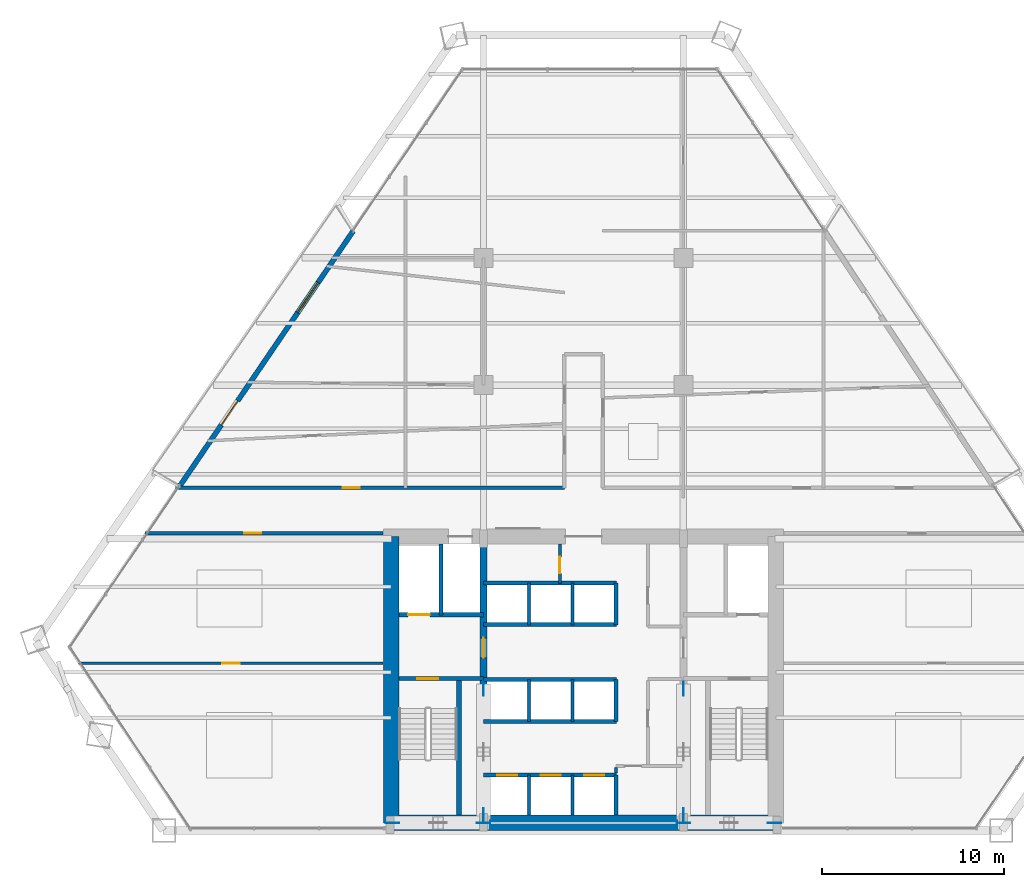
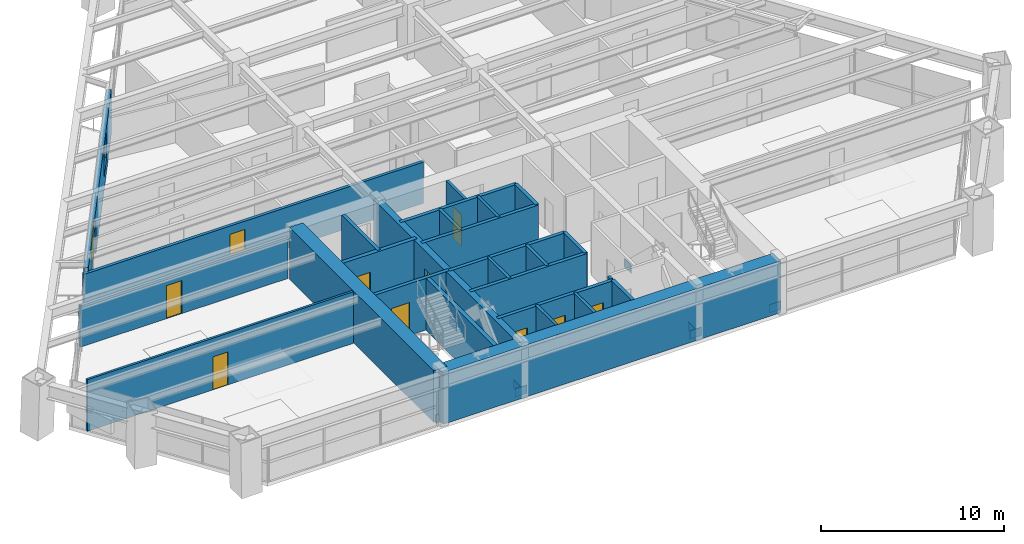
# One storey, part 10 of 14: 27 walls, 11 doors, 8 plates, 1 window, 12 openings.
"""IFC4 building model written with IfcOpenShell, lengths in metres."""

from ifc_helpers import new_model, si_unit, direction, frame, frame_2d, origin, origin_2d, place, context, subcontext, project, spatial, rectangle, extrude, source, transform, mapped, material, layer, layer_set, type_object, type_shapes, element, fill, save


model = new_model("IFC4")

# Units and contexts
model_context = context("Model", 3, precision=1e-05, world=origin(), true_north=direction((0.0, 1.0)))
body_context = subcontext(model_context, "Body", "Model", "MODEL_VIEW")
ifc_project = project(units=[si_unit("LENGTHUNIT", "METRE"), si_unit("AREAUNIT", "SQUARE_METRE"), si_unit("VOLUMEUNIT", "CUBIC_METRE"), si_unit("PLANEANGLEUNIT", "RADIAN"), si_unit("MASSUNIT", "GRAM", prefix="KILO")], contexts=[model_context])

# Site, building, storey
site_placement = place(None, origin())
site = spatial("IfcSite", under=ifc_project, at=site_placement, CompositionType="ELEMENT")
building_placement = place(site_placement, origin())
building = spatial("IfcBuilding", under=site, at=building_placement, Name="Varnakhor Terracotta Tower", CompositionType="ELEMENT")
storey_placement = place(building_placement, frame((0.0, 0.0, 60.800048828125)))
storey = spatial("IfcBuildingStorey", under=building, at=storey_placement, Name="L14", CompositionType="ELEMENT", Elevation=60.800048828125)

# Plates
ifc_material_1 = material(Name="Steel S460", Category="steel")
ifc_layer_1 = layer(ifc_material_1, 0.050048828125, Name="Steel S460")
ifc_layer_set_1 = layer_set([ifc_layer_1], Name="Steel S460")
plate_type = type_object("IfcPlateType", Name="PLT-GUSSET-50", PredefinedType="USERDEFINED", material=ifc_layer_set_1)
shared_shape_1 = source(origin(), body_context, "Body", "SweptSolid", [
    extrude(rectangle(XDim=0.75, YDim=0.0400390625, at=origin_2d()), origin(), (0.0, 0.0, 1.0), 0.550048828125),
])
type_shapes(plate_type, [shared_shape_1])
for number, where, z_axis, x_axis, name in (
    (1, (-10.5, 0.419921875, -0.09521484375), (0.0, 0.0, 1.0), (1.0, 0.0, 0.0), "L14 Core Brace Embed Plate CSWA"),
    (2, (-5.5, 0.419921875, -0.09521484375), (0.0, 0.0, 1.0), (1.0, 0.0, 0.0), "L14 Core Brace Embed Plate CSWB"),
    (3, (5.5, 0.419921875, -0.09521484375), (0.0, 0.0, 1.0), (1.0, 0.0, 0.0), "L14 Core Brace Embed Plate CSEA"),
    (4, (10.5, 0.419921875, -0.09521484375), (0.0, 0.0, 1.0), (1.0, 0.0, 0.0), "L14 Core Brace Embed Plate CSEB"),
    (5, (-5.5, 0.85009765625, -0.09521484375), (0.0, 0.0, 1.0), (0.0, 1.0, 0.0), "L14 Core Brace Embed Plate CWWA"),
    (6, (-5.5, 7.800048828125, -0.09521484375), (0.0, 0.0, 1.0), (0.0, 1.0, 0.0), "L14 Core Brace Embed Plate CWWB"),
    (7, (5.5, 0.85009765625, -0.09521484375), (0.0, 0.0, 1.0), (0.0, 1.0, 0.0), "L14 Core Brace Embed Plate CWEA"),
    (8, (5.5, 7.800048828125, -0.09521484375), (0.0, 0.0, 1.0), (0.0, 1.0, 0.0), "L14 Core Brace Embed Plate CWEB"),
):
    element("IfcPlate", number, at=place(storey_placement, frame(where, z_axis=z_axis, x_axis=x_axis)), inside=storey, type_object=plate_type, Name=name, ObjectType="GUSSET PLATE", PredefinedType="USERDEFINED", context=body_context, shape_type="MappedRepresentation", body=[
        mapped(shared_shape_1, transform((0.0, 0.0, 0.0), scale=1.0)),
    ])

# Walls
ifc_material_2 = material(Name="Concrete C60/75", Category="concrete")
ifc_layer_2 = layer(ifc_material_2, 0.85009765625, Name="Concrete C60/75")
ifc_layer_set_2 = layer_set([ifc_layer_2], Name="Concrete C60/75")
wall_type_1 = type_object("IfcWallType", Name="WAL-CORE-850", PredefinedType="SHEAR", material=ifc_layer_set_2)
wall_1_placement = place(storey_placement, frame((-10.64990234375, 0.425048828125, 0.0), z_axis=(0.0, 0.0, 1.0), x_axis=(1.0, 0.0, 0.0)))
element("IfcWall", 9, at=wall_1_placement, inside=storey, type_object=wall_type_1, Name="L14 South Core Shear Wall", PredefinedType="SHEAR", context=body_context, shape_type="SweptSolid", body=[
    extrude(rectangle(XDim=21.2998046875, YDim=0.85009765625, at=frame_2d((10.64990234375, 0.0))), origin(), (0.0, 0.0, 1.0), 3.449951171875),
])
wall_2_placement = place(storey_placement, frame((-10.574951171875, 0.425048828125, 0.0), z_axis=(0.0, 0.0, 1.0), x_axis=(0.0, 1.0, 0.0)))
element("IfcWall", 10, at=wall_2_placement, inside=storey, type_object=wall_type_1, Name="L14 West Core Shear Wall", PredefinedType="SHEAR", context=body_context, shape_type="SweptSolid", body=[
    extrude(rectangle(XDim=15.75, YDim=0.85009765625, at=frame_2d((7.875, 0.0))), origin(), (0.0, 0.0, 1.0), 3.449951171875),
])

# Wall, opening, door
ifc_material_3 = material(Name="Concrete C50/60", Category="concrete")
ifc_layer_3 = layer(ifc_material_3, 0.39990234375, Name="Concrete C50/60")
ifc_layer_set_3 = layer_set([ifc_layer_3], Name="Concrete C50/60")
wall_type_2 = type_object("IfcWallType", Name="WAL-CORE-WEB-400", PredefinedType="SHEAR", material=ifc_layer_set_3)
wall_3_placement = place(storey_placement, frame((-5.5, 0.425048828125, 0.0), z_axis=(0.0, 0.0, 1.0), x_axis=(0.0, 1.0, 0.0)))
wall_3 = element("IfcWall", 11, at=wall_3_placement, inside=storey, type_object=wall_type_2, Name="L14 West Core Web Shear Wall", PredefinedType="SHEAR", context=body_context, shape_type="SweptSolid", body=[
    extrude(rectangle(XDim=15.75, YDim=0.39990234375, at=frame_2d((7.875, 0.0))), origin(), (0.0, 0.0, 1.0), 3.449951171875),
])
opening_1_placement = place(wall_3_placement, frame((9.074951171875, 0.0, 0.0)))
opening_1 = element("IfcOpeningElement", 12, at=opening_1_placement, cuts=wall_3, Name="Opening DR-25", PredefinedType="OPENING", context=body_context, shape_type="SweptSolid", body=[
    extrude(rectangle(XDim=1.10009765625, YDim=2.199951171875, at=frame_2d((0.550048828125, 1.10009765625))), frame((0.0, 0.2099609375, 0.0), z_axis=(0.0, -1.0, 0.0), x_axis=(1.0, 0.0, 0.0)), (0.0, 0.0, 1.0), 0.419921875),
])
ifc_material_4 = material(Name="Firefighting Lobby Self-Closing Fire Door", Category="steel")
door_type_1 = type_object("IfcDoorType", Name="DR-FFL-1100X2200", OperationType="NOTDEFINED", PredefinedType="DOOR", material=ifc_material_4)
shared_shape_2 = source(origin(), body_context, "Body", "SweptSolid", [
    extrude(rectangle(XDim=1.10009765625, YDim=2.199951171875, at=frame_2d((0.550048828125, 1.10009765625))), frame((0.0, 0.02490234375, 0.0), z_axis=(0.0, -1.0, 0.0), x_axis=(1.0, 0.0, 0.0)), (0.0, 0.0, 1.0), 0.050048828125),
])
type_shapes(door_type_1, [shared_shape_2])
door_1_placement = place(opening_1_placement, origin())
door_1 = element("IfcDoor", 13, at=door_1_placement, inside=storey, type_object=door_type_1, Name="L14 West Firefighting Lobby Door", OperationType="SINGLE_SWING_RIGHT", OverallHeight=2.199951171875, OverallWidth=1.10009765625, PredefinedType="DOOR", context=body_context, shape_type="MappedRepresentation", body=[
    mapped(shared_shape_2, transform((0.0, 0.0, 0.0), scale=1.0)),
])
fill(opening_1, door_1)

ifc_material_5 = material(Name="Fire-Rated Gypsum Stud Partition", Category="gypsum")
ifc_layer_4 = layer(ifc_material_5, 0.18505859375, Name="Fire-Rated Gypsum Stud Partition")
ifc_layer_set_4 = layer_set([ifc_layer_4], Name="Fire-Rated Gypsum Stud Partition")
wall_type_3 = type_object("IfcWallType", Name="WAL-CORR-185", PredefinedType="PARTITIONING", material=ifc_layer_set_4)
wall_4_placement = place(storey_placement, frame((-24.13818359375, 16.35009765625, 0.0), z_axis=(0.0, 0.0, 1.0), x_axis=(1.0, 0.0, 0.0)))
wall_4 = element("IfcWall", 14, at=wall_4_placement, inside=storey, type_object=wall_type_3, Name="L14 South West Corridor Wall", PredefinedType="PARTITIONING", context=body_context, shape_type="SweptSolid", body=[
    extrude(rectangle(XDim=13.1181640625, YDim=0.18505859375, at=frame_2d((6.55908203125, 0.0))), origin(), (0.0, 0.0, 1.0), 2.7470703125),
])
opening_2_placement = place(wall_4_placement, frame((5.462158203125, 0.0, 0.0)))
opening_2 = element("IfcOpeningElement", 15, at=opening_2_placement, cuts=wall_4, Name="Opening DR-94", PredefinedType="OPENING", context=body_context, shape_type="SweptSolid", body=[
    extrude(rectangle(XDim=0.949951171875, YDim=2.199951171875, at=frame_2d((0.47509765625, 1.10009765625))), frame((0.0, 0.1025390625, 0.0), z_axis=(0.0, -1.0, 0.0), x_axis=(1.0, 0.0, 0.0)), (0.0, 0.0, 1.0), 0.205078125),
])
ifc_material_6 = material(Name="Acoustic Glazed-Vision Timber Office Door", Category="wood")
door_type_2 = type_object("IfcDoorType", Name="DR-OFF-950X2200", OperationType="NOTDEFINED", PredefinedType="DOOR", material=ifc_material_6)
shared_shape_3 = source(origin(), body_context, "Body", "SweptSolid", [
    extrude(rectangle(XDim=0.949951171875, YDim=2.199951171875, at=frame_2d((0.47509765625, 1.10009765625))), frame((0.0, 0.02490234375, 0.0), z_axis=(0.0, -1.0, 0.0), x_axis=(1.0, 0.0, 0.0)), (0.0, 0.0, 1.0), 0.050048828125),
])
type_shapes(door_type_2, [shared_shape_3])
door_2_placement = place(opening_2_placement, origin())
door_2 = element("IfcDoor", 16, at=door_2_placement, inside=storey, type_object=door_type_2, Name="L14 SW Suite Door", OperationType="SINGLE_SWING_LEFT", OverallHeight=2.199951171875, OverallWidth=0.949951171875, PredefinedType="DOOR", context=body_context, shape_type="MappedRepresentation", body=[
    mapped(shared_shape_3, transform((0.0, 0.0, 0.0), scale=1.0)),
])
fill(opening_2, door_2)

wall_5_placement = place(storey_placement, frame((-22.43798828125, 18.85009765625, 0.0), z_axis=(0.0, 0.0, 1.0), x_axis=(1.0, 0.0, 0.0)))
wall_5 = element("IfcWall", 17, at=wall_5_placement, inside=storey, type_object=wall_type_3, Name="L14 Corridor North West Wall", PredefinedType="PARTITIONING", context=body_context, shape_type="SweptSolid", body=[
    extrude(rectangle(XDim=21.387939453125, YDim=0.18505859375, at=frame_2d((10.69384765625, 0.0))), origin(), (0.0, 0.0, 1.0), 2.7470703125),
])
opening_3_placement = place(wall_5_placement, frame((9.18359375, 0.0, 0.0)))
opening_3 = element("IfcOpeningElement", 18, at=opening_3_placement, cuts=wall_5, Name="Opening DR-94", PredefinedType="OPENING", context=body_context, shape_type="SweptSolid", body=[
    extrude(rectangle(XDim=0.949951171875, YDim=2.199951171875, at=frame_2d((0.47509765625, 1.10009765625))), frame((0.0, 0.1025390625, 0.0), z_axis=(0.0, -1.0, 0.0), x_axis=(1.0, 0.0, 0.0)), (0.0, 0.0, 1.0), 0.205078125),
])
door_3_placement = place(opening_3_placement, origin())
door_3 = element("IfcDoor", 19, at=door_3_placement, inside=storey, type_object=door_type_2, Name="L14 West Workplace Door", OperationType="SINGLE_SWING_LEFT", OverallHeight=2.199951171875, OverallWidth=0.949951171875, PredefinedType="DOOR", context=body_context, shape_type="MappedRepresentation", body=[
    mapped(shared_shape_3, transform((0.0, 0.0, 0.0), scale=1.0)),
])
fill(opening_3, door_3)

# Wall, openings, door, window
ifc_material_7 = material(Name="Extruded Architectural Terracotta Assembly", Category="masonry")
ifc_layer_5 = layer(ifc_material_7, 0.280029296875, Name="Extruded Architectural Terracotta Assembly")
ifc_layer_set_5 = layer_set([ifc_layer_5], Name="Extruded Architectural Terracotta Assembly")
wall_type_4 = type_object("IfcWallType", Name="WAL-EXT-TERRACOTTA-280", PredefinedType="SOLIDWALL", material=ifc_layer_set_5)
wall_6_placement = place(storey_placement, frame((-22.212890625, 18.949951171875, 0.0), z_axis=(0.0, 0.0, 1.0), x_axis=(0.562325366789, 0.826916067002, 0.0)))
wall_6 = element("IfcWall", 20, at=wall_6_placement, inside=storey, type_object=wall_type_4, Name="L14 W Loggia Insulated Terracotta Wall", PredefinedType="SOLIDWALL", context=body_context, shape_type="SweptSolid", body=[
    extrude(rectangle(XDim=16.971435546875, YDim=0.280029296875, at=frame_2d((8.48583984375, 0.0))), origin(), (0.0, 0.0, 1.0), 3.030029296875),
])
opening_4_placement = place(wall_6_placement, frame((4.0732421875, 0.0, 0.0)))
opening_4 = element("IfcOpeningElement", 21, at=opening_4_placement, cuts=wall_6, Name="Opening DR-62", PredefinedType="OPENING", context=body_context, shape_type="SweptSolid", body=[
    extrude(rectangle(XDim=1.60009765625, YDim=2.35009765625, at=frame_2d((0.800048828125, 1.175048828125))), frame((0.0, 0.14990234375, 0.0), z_axis=(0.0, -1.0, 0.0), x_axis=(1.0, 0.0, 0.0)), (0.0, 0.0, 1.0), 0.300048828125),
])
opening_5_placement = place(wall_6_placement, frame((11.54052734375, 0.0, 0.89990234375)))
opening_5 = element("IfcOpeningElement", 22, at=opening_5_placement, cuts=wall_6, Name="Opening WN-26", PredefinedType="OPENING", context=body_context, shape_type="SweptSolid", body=[
    extrude(rectangle(XDim=2.0, YDim=1.85009765625, at=frame_2d((1.0, 0.925048828125))), frame((0.0, 0.14990234375, 0.0), z_axis=(0.0, -1.0, 0.0), x_axis=(1.0, 0.0, 0.0)), (0.0, 0.0, 1.0), 0.300048828125),
])
ifc_material_8 = material(Name="Thermally Broken Sliding Glass Loggia Door", Category="glass")
door_type_3 = type_object("IfcDoorType", Name="DR-EXT-LOGGIA-1600X2350", OperationType="NOTDEFINED", PredefinedType="DOOR", material=ifc_material_8)
shared_shape_4 = source(origin(), body_context, "Body", "SweptSolid", [
    extrude(rectangle(XDim=1.60009765625, YDim=2.35009765625, at=frame_2d((0.800048828125, 1.175048828125))), frame((0.0, 0.02490234375, 0.0), z_axis=(0.0, -1.0, 0.0), x_axis=(1.0, 0.0, 0.0)), (0.0, 0.0, 1.0), 0.050048828125),
])
type_shapes(door_type_3, [shared_shape_4])
door_4_placement = place(opening_4_placement, origin())
door_4 = element("IfcDoor", 23, at=door_4_placement, inside=storey, type_object=door_type_3, Name="L14 W Recessed Loggia Sliding Door", OperationType="SLIDING_TO_LEFT", OverallHeight=2.35009765625, OverallWidth=1.60009765625, PredefinedType="DOOR", context=body_context, shape_type="MappedRepresentation", body=[
    mapped(shared_shape_4, transform((0.0, 0.0, 0.0), scale=1.0)),
])
fill(opening_4, door_4)
ifc_material_9 = material(Name="Solar-Control Low-E Insulated Glass Unit", Category="glass")
window_type = type_object("IfcWindowType", Name="WIN-OFF-2200X2100", PartitioningType="SINGLE_PANEL", PredefinedType="WINDOW", material=ifc_material_9)
shared_shape_5 = source(origin(), body_context, "Body", "SweptSolid", [
    extrude(rectangle(XDim=2.0, YDim=1.85009765625, at=frame_2d((1.0, 0.925048828125))), frame((0.0, 0.030029296875, 0.0), z_axis=(0.0, -1.0, 0.0), x_axis=(1.0, 0.0, 0.0)), (0.0, 0.0, 1.0), 0.06005859375),
])
type_shapes(window_type, [shared_shape_5])
window_placement = place(opening_5_placement, origin())
window = element("IfcWindow", 24, at=window_placement, inside=storey, type_object=window_type, Name="L14 W Facet Punched Window", OverallHeight=1.85009765625, OverallWidth=2.0, PartitioningType="SINGLE_PANEL", PredefinedType="WINDOW", context=body_context, shape_type="MappedRepresentation", body=[
    mapped(shared_shape_5, transform((0.0, 0.0, 0.0), scale=1.0)),
])
fill(opening_5, window)

# Wall, opening, door
ifc_material_10 = material(Name="Concrete C40/50", Category="concrete")
ifc_layer_6 = layer(ifc_material_10, 0.219970703125, Name="Concrete C40/50")
ifc_layer_set_6 = layer_set([ifc_layer_6], Name="Concrete C40/50")
wall_type_5 = type_object("IfcWallType", Name="WAL-FFLOBBY-220", PredefinedType="SOLIDWALL", material=ifc_layer_set_6)
wall_7_placement = place(storey_placement, frame((-5.5, 8.35009765625, 0.0), z_axis=(0.0, 0.0, 1.0), x_axis=(-1.0, 0.0, 0.0)))
wall_7 = element("IfcWall", 25, at=wall_7_placement, inside=storey, type_object=wall_type_5, Name="L14 West Firefighting Lobby Stair Wall", PredefinedType="SOLIDWALL", context=body_context, shape_type="SweptSolid", body=[
    extrude(rectangle(XDim=4.64990234375, YDim=0.219970703125, at=frame_2d((2.324951171875, 0.0))), origin(), (0.0, 0.0, 1.0), 3.449951171875),
])
opening_6_placement = place(wall_7_placement, frame((2.5, 0.0, 0.0)))
opening_6 = element("IfcOpeningElement", 26, at=opening_6_placement, cuts=wall_7, Name="Opening DR-34", PredefinedType="OPENING", context=body_context, shape_type="SweptSolid", body=[
    extrude(rectangle(XDim=1.14990234375, YDim=2.199951171875, at=frame_2d((0.574951171875, 1.10009765625))), frame((0.0, 0.1201171875, 0.0), z_axis=(0.0, -1.0, 0.0), x_axis=(1.0, 0.0, 0.0)), (0.0, 0.0, 1.0), 0.239990234375),
])
ifc_material_11 = material(Name="Self-Closing Smoke-Sealed Steel Fire Door", Category="steel")
door_type_4 = type_object("IfcDoorType", Name="DR-STAIR-1150X2200", OperationType="NOTDEFINED", PredefinedType="DOOR", material=ifc_material_11)
shared_shape_6 = source(origin(), body_context, "Body", "SweptSolid", [
    extrude(rectangle(XDim=1.14990234375, YDim=2.199951171875, at=frame_2d((0.574951171875, 1.10009765625))), frame((0.0, 0.02490234375, 0.0), z_axis=(0.0, -1.0, 0.0), x_axis=(1.0, 0.0, 0.0)), (0.0, 0.0, 1.0), 0.050048828125),
])
type_shapes(door_type_4, [shared_shape_6])
door_5_placement = place(opening_6_placement, origin())
door_5 = element("IfcDoor", 27, at=door_5_placement, inside=storey, type_object=door_type_4, Name="L14 Exit Stair ST-1 Fire Door", OperationType="SINGLE_SWING_LEFT", OverallHeight=2.199951171875, OverallWidth=1.14990234375, PredefinedType="DOOR", context=body_context, shape_type="MappedRepresentation", body=[
    mapped(shared_shape_6, transform((0.0, 0.0, 0.0), scale=1.0)),
])
fill(opening_6, door_5)

ifc_material_12 = material(Name="Acoustic Metal-Stud Partition", Category="gypsum")
ifc_layer_7 = layer(ifc_material_12, 0.139892578125, Name="Acoustic Metal-Stud Partition")
ifc_layer_set_7 = layer_set([ifc_layer_7], Name="Acoustic Metal-Stud Partition")
wall_type_6 = type_object("IfcWallType", Name="WAL-PART-140", PredefinedType="PARTITIONING", material=ifc_layer_set_7)
wall_8_placement = place(storey_placement, frame((-27.794677734375, 9.199951171875, 0.0), z_axis=(0.0, 0.0, 1.0), x_axis=(1.0, 0.0, 0.0)))
wall_8 = element("IfcWall", 28, at=wall_8_placement, inside=storey, type_object=wall_type_6, Name="L14 South West Cut 1", PredefinedType="PARTITIONING", context=body_context, shape_type="SweptSolid", body=[
    extrude(rectangle(XDim=16.774658203125, YDim=0.139892578125, at=frame_2d((8.38720703125, 0.0))), origin(), (0.0, 0.0, 1.0), 3.44189453125),
])
opening_7_placement = place(wall_8_placement, frame((7.923095703125, 0.0, 0.0)))
opening_7 = element("IfcOpeningElement", 29, at=opening_7_placement, cuts=wall_8, Name="Opening DR-94", PredefinedType="OPENING", context=body_context, shape_type="SweptSolid", body=[
    extrude(rectangle(XDim=0.949951171875, YDim=2.199951171875, at=frame_2d((0.47509765625, 1.10009765625))), frame((0.0, 0.080078125, 0.0), z_axis=(0.0, -1.0, 0.0), x_axis=(1.0, 0.0, 0.0)), (0.0, 0.0, 1.0), 0.159912109375),
])
door_6_placement = place(opening_7_placement, origin())
door_6 = element("IfcDoor", 30, at=door_6_placement, inside=storey, type_object=door_type_2, Name="L14 South West Executive Office Door", OperationType="SINGLE_SWING_LEFT", OverallHeight=2.199951171875, OverallWidth=0.949951171875, PredefinedType="DOOR", context=body_context, shape_type="MappedRepresentation", body=[
    mapped(shared_shape_3, transform((0.0, 0.0, 0.0), scale=1.0)),
])
fill(opening_7, door_6)

# Walls
ifc_layer_8 = layer(ifc_material_10, 0.179931640625, Name="Concrete C40/50")
ifc_layer_set_8 = layer_set([ifc_layer_8], Name="Concrete C40/50")
wall_type_7 = type_object("IfcWallType", Name="WAL-SHAFT-180", PredefinedType="SOLIDWALL", material=ifc_layer_set_8)
for number, where, z_axis, x_axis, name in (
    (31, (-3.0, 0.85009765625, 0.0), (0.0, 0.0, 1.0), (0.0, 1.0, 0.0), "L14 PL-1A Divider"),
    (32, (-0.60009765625, 0.85009765625, 0.0), (0.0, 0.0, 1.0), (0.0, 1.0, 0.0), "L14 PL-1B Divider"),
):
    element("IfcWall", number, at=place(storey_placement, frame(where, z_axis=z_axis, x_axis=x_axis)), inside=storey, type_object=wall_type_7, Name=name, PredefinedType="SOLIDWALL", context=body_context, shape_type="SweptSolid", body=[
        extrude(rectangle(XDim=2.199951171875, YDim=0.179931640625, at=frame_2d((1.10009765625, 0.0))), origin(), (0.0, 0.0, 1.0), 3.449951171875),
    ])
for number, where, z_axis, x_axis, name in (
    (33, (-3.0, 6.0, 0.0), (0.0, 0.0, 1.0), (0.0, 1.0, 0.0), "L14 PL-2A Divider"),
    (34, (-0.60009765625, 6.0, 0.0), (0.0, 0.0, 1.0), (0.0, 1.0, 0.0), "L14 PL-2B Divider"),
    (35, (-3.0, 11.320068359375, 0.0), (0.0, 0.0, 1.0), (0.0, 1.0, 0.0), "L14 PL-3A Divider"),
    (36, (-0.60009765625, 11.320068359375, 0.0), (0.0, 0.0, 1.0), (0.0, 1.0, 0.0), "L14 PL-3B Divider"),
):
    element("IfcWall", number, at=place(storey_placement, frame(where, z_axis=z_axis, x_axis=x_axis)), inside=storey, type_object=wall_type_7, Name=name, PredefinedType="SOLIDWALL", context=body_context, shape_type="SweptSolid", body=[
        extrude(rectangle(XDim=2.300048828125, YDim=0.179931640625, at=frame_2d((1.14990234375, 0.0))), origin(), (0.0, 0.0, 1.0), 3.449951171875),
    ])
ifc_layer_9 = layer(ifc_material_10, 0.219970703125, Name="Concrete C40/50")
ifc_layer_set_9 = layer_set([ifc_layer_9], Name="Concrete C40/50")
wall_type_8 = type_object("IfcWallType", Name="WAL-SHAFT-220", PredefinedType="SOLIDWALL", material=ifc_layer_set_9)
wall_9_placement = place(storey_placement, frame((-7.840087890625, 11.8701171875, 0.0), z_axis=(0.0, 0.0, 1.0), x_axis=(0.0, 1.0, 0.0)))
element("IfcWall", 37, at=wall_9_placement, inside=storey, type_object=wall_type_8, Name="L14 Lift FFL-1 and SVL-1 Divider Wall", PredefinedType="SOLIDWALL", context=body_context, shape_type="SweptSolid", body=[
    extrude(rectangle(XDim=3.8798828125, YDim=0.219970703125, at=frame_2d((1.93994140625, 0.0))), origin(), (0.0, 0.0, 1.0), 3.449951171875),
])

# Wall, openings, doors
wall_10_placement = place(storey_placement, frame((-5.5, 3.050048828125, 0.0), z_axis=(0.0, 0.0, 1.0), x_axis=(1.0, 0.0, 0.0)))
wall_10 = element("IfcWall", 38, at=wall_10_placement, inside=storey, type_object=wall_type_8, Name="L14 Bank 1 Lift Shaft Wall", PredefinedType="SOLIDWALL", context=body_context, shape_type="SweptSolid", body=[
    extrude(rectangle(XDim=7.320068359375, YDim=0.219970703125, at=frame_2d((3.66015625, 0.0))), origin(), (0.0, 0.0, 1.0), 3.449951171875),
])
opening_8_placement = place(wall_10_placement, frame((0.75, 0.0, 0.0)))
opening_8 = element("IfcOpeningElement", 39, at=opening_8_placement, cuts=wall_10, Name="Opening LD-01", PredefinedType="OPENING", context=body_context, shape_type="SweptSolid", body=[
    extrude(rectangle(XDim=1.10009765625, YDim=2.199951171875, at=frame_2d((0.550048828125, 1.10009765625))), frame((0.0, 0.1201171875, 0.0), z_axis=(0.0, -1.0, 0.0), x_axis=(1.0, 0.0, 0.0)), (0.0, 0.0, 1.0), 0.239990234375),
])
opening_9_placement = place(wall_10_placement, frame((3.14990234375, 0.0, 0.0)))
opening_9 = element("IfcOpeningElement", 40, at=opening_9_placement, cuts=wall_10, Name="Opening LD-01", PredefinedType="OPENING", context=body_context, shape_type="SweptSolid", body=[
    extrude(rectangle(XDim=1.10009765625, YDim=2.199951171875, at=frame_2d((0.550048828125, 1.10009765625))), frame((0.0, 0.1201171875, 0.0), z_axis=(0.0, -1.0, 0.0), x_axis=(1.0, 0.0, 0.0)), (0.0, 0.0, 1.0), 0.239990234375),
])
opening_10_placement = place(wall_10_placement, frame((5.550048828125, 0.0, 0.0)))
opening_10 = element("IfcOpeningElement", 41, at=opening_10_placement, cuts=wall_10, Name="Opening LD-01", PredefinedType="OPENING", context=body_context, shape_type="SweptSolid", body=[
    extrude(rectangle(XDim=1.10009765625, YDim=2.199951171875, at=frame_2d((0.550048828125, 1.10009765625))), frame((0.0, 0.1201171875, 0.0), z_axis=(0.0, -1.0, 0.0), x_axis=(1.0, 0.0, 0.0)), (0.0, 0.0, 1.0), 0.239990234375),
])
ifc_material_13 = material(Name="Brushed Stainless Steel Sliding Lift Landing Door", Category="steel")
door_type_5 = type_object("IfcDoorType", Name="LD-PASS-1100X2200", OperationType="NOTDEFINED", PredefinedType="DOOR", material=ifc_material_13)
shared_shape_7 = source(origin(), body_context, "Body", "SweptSolid", [
    extrude(rectangle(XDim=1.10009765625, YDim=2.199951171875, at=frame_2d((0.550048828125, 1.10009765625))), frame((0.0, 0.02490234375, 0.0), z_axis=(0.0, -1.0, 0.0), x_axis=(1.0, 0.0, 0.0)), (0.0, 0.0, 1.0), 0.050048828125),
])
type_shapes(door_type_5, [shared_shape_7])
door_7_placement = place(opening_8_placement, origin())
door_7 = element("IfcDoor", 42, at=door_7_placement, inside=storey, type_object=door_type_5, Name="L14 Passenger Lift PL-1A Landing Door", OperationType="SLIDING_TO_RIGHT", OverallHeight=2.199951171875, OverallWidth=1.10009765625, PredefinedType="DOOR", context=body_context, shape_type="MappedRepresentation", body=[
    mapped(shared_shape_7, transform((0.0, 0.0, 0.0), scale=1.0)),
])
fill(opening_8, door_7)
door_8_placement = place(opening_9_placement, origin())
door_8 = element("IfcDoor", 43, at=door_8_placement, inside=storey, type_object=door_type_5, Name="L14 Passenger Lift PL-1B Landing Door", OperationType="SLIDING_TO_RIGHT", OverallHeight=2.199951171875, OverallWidth=1.10009765625, PredefinedType="DOOR", context=body_context, shape_type="MappedRepresentation", body=[
    mapped(shared_shape_7, transform((0.0, 0.0, 0.0), scale=1.0)),
])
fill(opening_9, door_8)
door_9_placement = place(opening_10_placement, origin())
door_9 = element("IfcDoor", 44, at=door_9_placement, inside=storey, type_object=door_type_5, Name="L14 Passenger Lift PL-1C Landing Door", OperationType="SLIDING_TO_RIGHT", OverallHeight=2.199951171875, OverallWidth=1.10009765625, PredefinedType="DOOR", context=body_context, shape_type="MappedRepresentation", body=[
    mapped(shared_shape_7, transform((0.0, 0.0, 0.0), scale=1.0)),
])
fill(opening_10, door_9)

# Walls
wall_11_placement = place(storey_placement, frame((1.800048828125, 0.85009765625, 0.0), z_axis=(0.0, 0.0, 1.0), x_axis=(0.0, 1.0, 0.0)))
element("IfcWall", 45, at=wall_11_placement, inside=storey, type_object=wall_type_8, Name="L14 Bank 1 East Shaft Wall", PredefinedType="SOLIDWALL", context=body_context, shape_type="SweptSolid", body=[
    extrude(rectangle(XDim=2.199951171875, YDim=0.219970703125, at=frame_2d((1.10009765625, 0.0))), origin(), (0.0, 0.0, 1.0), 3.449951171875),
])
for number, where, z_axis, x_axis, name in (
    (46, (-5.5, 6.0, 0.0), (0.0, 0.0, 1.0), (1.0, 0.0, 0.0), "L14 Bank 2 South Shaft Wall"),
    (47, (-5.5, 8.300048828125, 0.0), (0.0, 0.0, 1.0), (1.0, 0.0, 0.0), "L14 Bank 2 North Shaft Wall"),
):
    element("IfcWall", number, at=place(storey_placement, frame(where, z_axis=z_axis, x_axis=x_axis)), inside=storey, type_object=wall_type_8, Name=name, PredefinedType="SOLIDWALL", context=body_context, shape_type="SweptSolid", body=[
        extrude(rectangle(XDim=7.320068359375, YDim=0.219970703125, at=frame_2d((3.66015625, 0.0))), origin(), (0.0, 0.0, 1.0), 3.449951171875),
    ])
wall_12_placement = place(storey_placement, frame((1.800048828125, 6.0, 0.0), z_axis=(0.0, 0.0, 1.0), x_axis=(0.0, 1.0, 0.0)))
element("IfcWall", 48, at=wall_12_placement, inside=storey, type_object=wall_type_8, Name="L14 Bank 2 East Shaft Wall", PredefinedType="SOLIDWALL", context=body_context, shape_type="SweptSolid", body=[
    extrude(rectangle(XDim=2.300048828125, YDim=0.219970703125, at=frame_2d((1.14990234375, 0.0))), origin(), (0.0, 0.0, 1.0), 3.449951171875),
])
for number, where, z_axis, x_axis, name in (
    (49, (-5.5, 11.320068359375, 0.0), (0.0, 0.0, 1.0), (1.0, 0.0, 0.0), "L14 Bank 3 South Shaft Wall"),
    (50, (-5.5, 13.6201171875, 0.0), (0.0, 0.0, 1.0), (1.0, 0.0, 0.0), "L14 Bank 3 North Shaft Wall"),
):
    element("IfcWall", number, at=place(storey_placement, frame(where, z_axis=z_axis, x_axis=x_axis)), inside=storey, type_object=wall_type_8, Name=name, PredefinedType="SOLIDWALL", context=body_context, shape_type="SweptSolid", body=[
        extrude(rectangle(XDim=7.320068359375, YDim=0.219970703125, at=frame_2d((3.66015625, 0.0))), origin(), (0.0, 0.0, 1.0), 3.449951171875),
    ])
wall_13_placement = place(storey_placement, frame((1.800048828125, 11.320068359375, 0.0), z_axis=(0.0, 0.0, 1.0), x_axis=(0.0, 1.0, 0.0)))
element("IfcWall", 51, at=wall_13_placement, inside=storey, type_object=wall_type_8, Name="L14 Bank 3 East Shaft Wall", PredefinedType="SOLIDWALL", context=body_context, shape_type="SweptSolid", body=[
    extrude(rectangle(XDim=2.300048828125, YDim=0.219970703125, at=frame_2d((1.14990234375, 0.0))), origin(), (0.0, 0.0, 1.0), 3.449951171875),
])
ifc_layer_10 = layer(ifc_material_10, 0.25, Name="Concrete C40/50")
ifc_layer_set_10 = layer_set([ifc_layer_10], Name="Concrete C40/50")
wall_type_9 = type_object("IfcWallType", Name="WAL-SHAFT-250", PredefinedType="SOLIDWALL", material=ifc_layer_set_10)
wall_14_placement = place(storey_placement, frame((-6.85009765625, 0.85009765625, 0.0), z_axis=(0.0, 0.0, 1.0), x_axis=(0.0, 1.0, 0.0)))
element("IfcWall", 52, at=wall_14_placement, inside=storey, type_object=wall_type_9, Name="L14 Stair ST-1 Bearing Shaft Wall", PredefinedType="SOLIDWALL", context=body_context, shape_type="SweptSolid", body=[
    extrude(rectangle(XDim=7.5, YDim=0.25, at=frame_2d((3.75, 0.0))), origin(), (0.0, 0.0, 1.0), 3.449951171875),
])

# Wall, opening, door
wall_15_placement = place(storey_placement, frame((-5.5, 11.8701171875, 0.0), z_axis=(0.0, 0.0, 1.0), x_axis=(-1.0, 0.0, 0.0)))
wall_15 = element("IfcWall", 53, at=wall_15_placement, inside=storey, type_object=wall_type_9, Name="L14 Lift FFL-1 Shaft Front Wall", PredefinedType="SOLIDWALL", context=body_context, shape_type="SweptSolid", body=[
    extrude(rectangle(XDim=4.64990234375, YDim=0.25, at=frame_2d((2.324951171875, 0.0))), origin(), (0.0, 0.0, 1.0), 3.449951171875),
])
opening_11_placement = place(wall_15_placement, frame((2.949951171875, 0.0, 0.0)))
opening_11 = element("IfcOpeningElement", 54, at=opening_11_placement, cuts=wall_15, Name="Opening LD-02", PredefinedType="OPENING", context=body_context, shape_type="SweptSolid", body=[
    extrude(rectangle(XDim=1.199951171875, YDim=2.25, at=frame_2d((0.60009765625, 1.125))), frame((0.0, 0.135009765625, 0.0), z_axis=(0.0, -1.0, 0.0), x_axis=(1.0, 0.0, 0.0)), (0.0, 0.0, 1.0), 0.27001953125),
])
ifc_material_14 = material(Name="Firefighting Stretcher Sliding Lift Landing Door", Category="steel")
door_type_6 = type_object("IfcDoorType", Name="LD-FFL-1200X2250", OperationType="NOTDEFINED", PredefinedType="DOOR", material=ifc_material_14)
shared_shape_8 = source(origin(), body_context, "Body", "SweptSolid", [
    extrude(rectangle(XDim=1.199951171875, YDim=2.25, at=frame_2d((0.60009765625, 1.125))), frame((0.0, 0.02490234375, 0.0), z_axis=(0.0, -1.0, 0.0), x_axis=(1.0, 0.0, 0.0)), (0.0, 0.0, 1.0), 0.050048828125),
])
type_shapes(door_type_6, [shared_shape_8])
door_10_placement = place(opening_11_placement, origin())
door_10 = element("IfcDoor", 55, at=door_10_placement, inside=storey, type_object=door_type_6, Name="L14 Firefighting Lift FFL-1 Landing Door", OperationType="SLIDING_TO_LEFT", OverallHeight=2.25, OverallWidth=1.199951171875, PredefinedType="DOOR", context=body_context, shape_type="MappedRepresentation", body=[
    mapped(shared_shape_8, transform((0.0, 0.0, 0.0), scale=1.0)),
])
fill(opening_11, door_10)

# Wall
ifc_material_15 = material(Name="Acoustic Fire-Rated Partition", Category="gypsum")
ifc_layer_11 = layer(ifc_material_15, 0.1650390625, Name="Acoustic Fire-Rated Partition")
ifc_layer_set_11 = layer_set([ifc_layer_11], Name="Acoustic Fire-Rated Partition")
wall_type_10 = type_object("IfcWallType", Name="WAL-TENANCY-165", PredefinedType="PARTITIONING", material=ifc_layer_set_11)
wall_16_placement = place(storey_placement, frame((1.800048828125, 3.159912109375, 0.0), z_axis=(0.0, 0.0, 1.0), x_axis=(0.0, 1.0, 0.0)))
element("IfcWall", 56, at=wall_16_placement, inside=storey, type_object=wall_type_10, Name="L14 Core South West Return Wall", PredefinedType="PARTITIONING", context=body_context, shape_type="SweptSolid", body=[
    extrude(rectangle(XDim=0.3076171875, YDim=0.1650390625, at=frame_2d((0.15380859375, 0.0))), origin(), (0.0, 0.0, 1.0), 3.44189453125),
])

# Wall, opening, door
wall_17_placement = place(storey_placement, frame((-1.300048828125, 13.60009765625, 0.0), z_axis=(0.0, 0.0, 1.0), x_axis=(0.0, 1.0, 0.0)))
wall_17 = element("IfcWall", 57, at=wall_17_placement, inside=storey, type_object=wall_type_10, Name="L14 Male Restroom Wall", PredefinedType="PARTITIONING", context=body_context, shape_type="SweptSolid", body=[
    extrude(rectangle(XDim=2.14990234375, YDim=0.1650390625, at=frame_2d((1.074951171875, 0.0))), origin(), (0.0, 0.0, 1.0), 3.44189453125),
])
opening_12_placement = place(wall_17_placement, frame((0.550048828125, 0.0, 0.0)))
opening_12 = element("IfcOpeningElement", 58, at=opening_12_placement, cuts=wall_17, Name="Opening DR-67", PredefinedType="OPENING", context=body_context, shape_type="SweptSolid", body=[
    extrude(rectangle(XDim=0.89990234375, YDim=2.10009765625, at=frame_2d((0.449951171875, 1.050048828125))), frame((0.0, 0.092529296875, 0.0), z_axis=(0.0, -1.0, 0.0), x_axis=(1.0, 0.0, 0.0)), (0.0, 0.0, 1.0), 0.18505859375),
])
ifc_material_16 = material(Name="Steel Service Riser Fire Door", Category="steel")
door_type_7 = type_object("IfcDoorType", Name="DR-RISER-900X2100", OperationType="NOTDEFINED", PredefinedType="DOOR", material=ifc_material_16)
shared_shape_9 = source(origin(), body_context, "Body", "SweptSolid", [
    extrude(rectangle(XDim=0.89990234375, YDim=2.10009765625, at=frame_2d((0.449951171875, 1.050048828125))), frame((0.0, 0.02490234375, 0.0), z_axis=(0.0, -1.0, 0.0), x_axis=(1.0, 0.0, 0.0)), (0.0, 0.0, 1.0), 0.050048828125),
])
type_shapes(door_type_7, [shared_shape_9])
door_11_placement = place(opening_12_placement, origin())
door_11 = element("IfcDoor", 59, at=door_11_placement, inside=storey, type_object=door_type_7, Name="L14 Male WC Door", OperationType="SINGLE_SWING_LEFT", OverallHeight=2.10009765625, OverallWidth=0.89990234375, PredefinedType="DOOR", context=body_context, shape_type="MappedRepresentation", body=[
    mapped(shared_shape_9, transform((0.0, 0.0, 0.0), scale=1.0)),
])
fill(opening_12, door_11)

save(model, "model.ifc")
